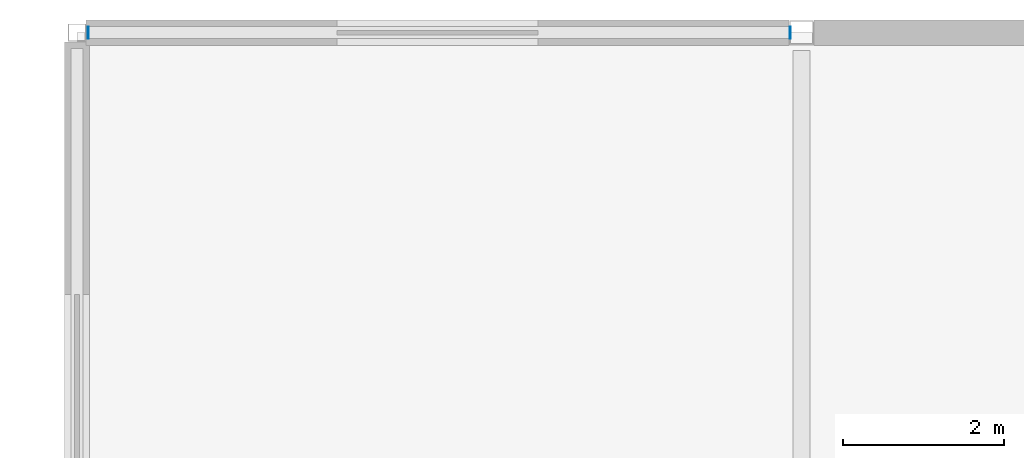
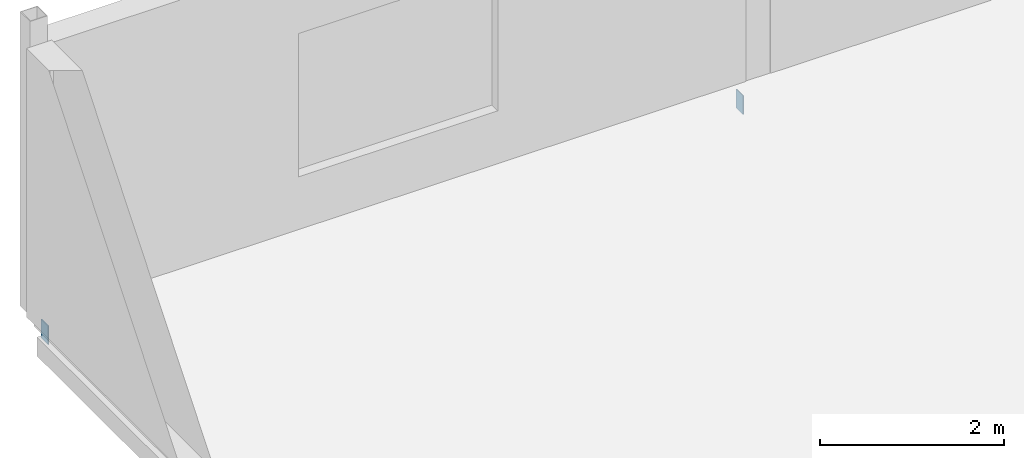
# One storey, part 37 of 55: 2 discrete accessories.
"""IFC4 building model written with IfcOpenShell, lengths in metres."""

from ifc_helpers import new_model, si_unit, direction, frame, origin, place, context, subcontext, project, spatial, polyline, outline, extrude, material, layer, layer_set, type_object, element, save


model = new_model("IFC4")

# Units and contexts
model_context = context("Model", 3, precision=1e-05, world=origin(), true_north=direction((0.0, 1.0)))
body_context = subcontext(model_context, "Body", "Model", "MODEL_VIEW")
ifc_project = project(units=[si_unit("LENGTHUNIT", "METRE"), si_unit("AREAUNIT", "SQUARE_METRE"), si_unit("VOLUMEUNIT", "CUBIC_METRE"), si_unit("PLANEANGLEUNIT", "RADIAN"), si_unit("MASSUNIT", "GRAM", prefix="KILO")], contexts=[model_context])

# Site, building, storey
site_placement = place(None, origin())
site = spatial("IfcSite", under=ifc_project, at=site_placement, CompositionType="ELEMENT")
building_placement = place(site_placement, origin())
building = spatial("IfcBuilding", under=site, at=building_placement, Name="Kisiwana Market Hall", CompositionType="ELEMENT")
storey_placement = place(building_placement, frame((0.0, 0.0, 37.800048828125)))
storey = spatial("IfcBuildingStorey", under=building, at=storey_placement, Name="L08", CompositionType="ELEMENT", Elevation=37.800048828125)

# Discrete accessories
ifc_material = material(Name="Steel S355", Category="steel")
ifc_layer = layer(ifc_material, 0.011962890625)
ifc_layer_set = layer_set([ifc_layer], Name="ACC-ENDCAP-STL")
discrete_accessory_type = type_object("IfcDiscreteAccessoryType", Name="ACC-ENDCAP-STL", PredefinedType="USERDEFINED", material=ifc_layer_set)
discrete_accessory_1_placement = place(storey_placement, frame((0.0, 0.0, -0.4951171875)))
element("IfcDiscreteAccessory", 1, at=discrete_accessory_1_placement, inside=storey, type_object=discrete_accessory_type, Name="End cap plate EC-0109", ObjectType="End cap plate", PredefinedType="USERDEFINED", context=body_context, shape_type="SweptSolid", body=[
    extrude(outline(polyline([(8.85400390625, 110.925048828125), (8.865966796875, 110.925048828125), (8.865966796875, 111.074951171875), (8.85400390625, 111.074951171875), (8.85400390625, 110.925048828125)])), origin(), (0.0, 0.0, 1.0), 0.25),
])
discrete_accessory_2_placement = place(storey_placement, frame((0.0, 0.0, -0.4951171875)))
element("IfcDiscreteAccessory", 2, at=discrete_accessory_2_placement, inside=storey, type_object=discrete_accessory_type, Name="End cap plate EC-0110", ObjectType="End cap plate", PredefinedType="USERDEFINED", context=body_context, shape_type="SweptSolid", body=[
    extrude(outline(polyline([(0.14599609375, 110.925048828125), (0.14599609375, 111.074951171875), (0.134033203125, 111.074951171875), (0.134033203125, 110.925048828125), (0.14599609375, 110.925048828125)])), origin(), (0.0, 0.0, 1.0), 0.25),
])

save(model, "model.ifc")
